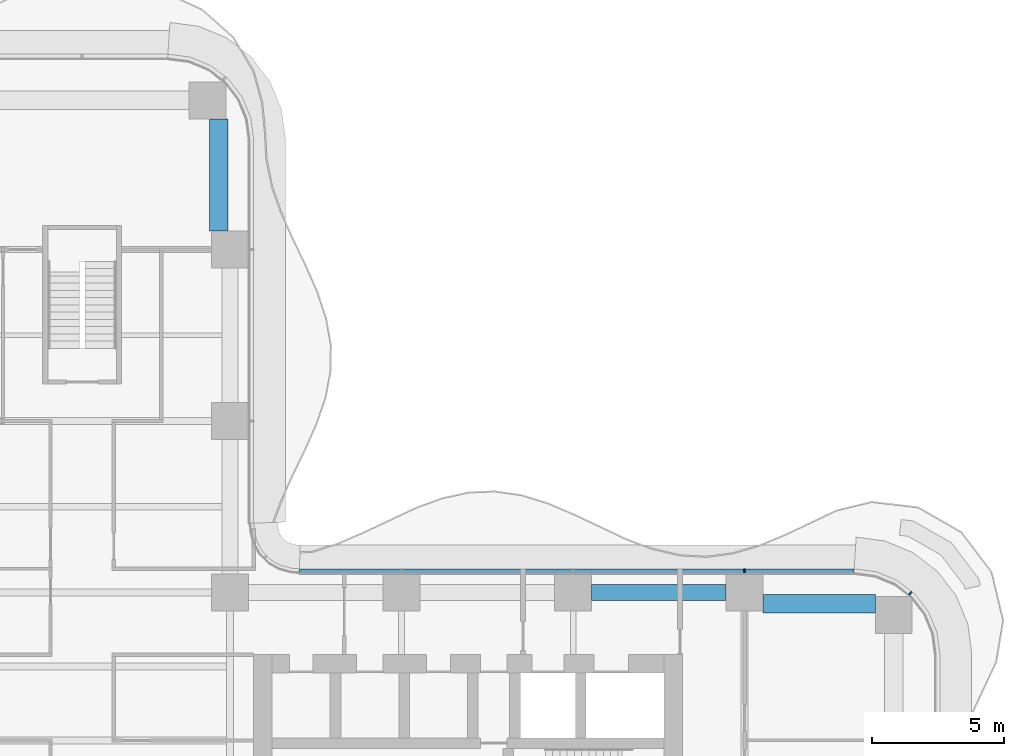
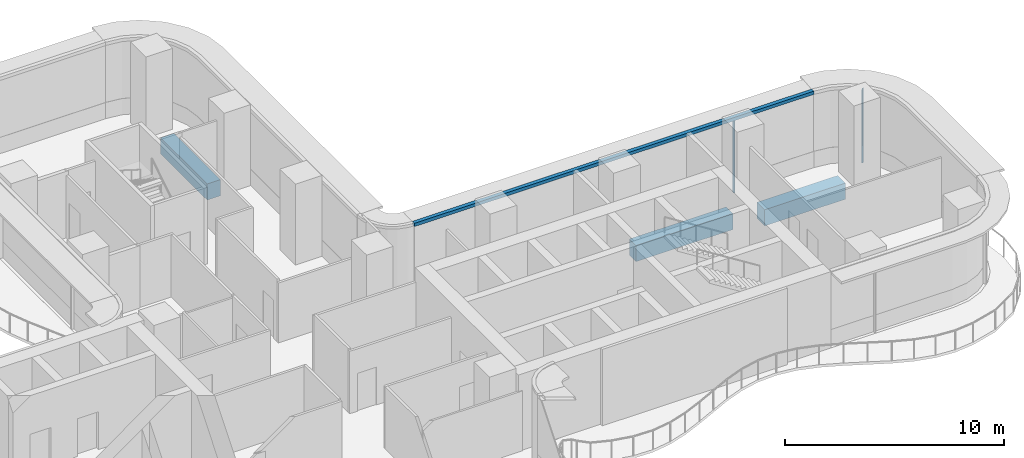
# One storey, part 11 of 22: 3 beams, 3 members, 2 elements without a shape of their own.
"""IFC4 building model written with IfcOpenShell, lengths in metres."""

from ifc_helpers import new_model, si_unit, direction, frame, origin, origin_2d, place, context, subcontext, project, spatial, polyline, rectangle, outline, extrude, source, transform, mapped, material, layer, layer_set, material_profile, profile_set, type_object, element, aggregate, save


model = new_model("IFC4")

# Units and contexts
model_context = context("Model", 3, precision=1e-05, world=origin(), true_north=direction((0.0, 1.0)))
body_context = subcontext(model_context, "Body", "Model", "MODEL_VIEW")
ifc_project = project(units=[si_unit("LENGTHUNIT", "METRE"), si_unit("AREAUNIT", "SQUARE_METRE"), si_unit("VOLUMEUNIT", "CUBIC_METRE"), si_unit("PLANEANGLEUNIT", "RADIAN"), si_unit("MASSUNIT", "GRAM", prefix="KILO")], contexts=[model_context])

# Site, building, storey
site_placement = place(None, origin())
site = spatial("IfcSite", under=ifc_project, at=site_placement, CompositionType="ELEMENT")
building_placement = place(site_placement, origin())
building = spatial("IfcBuilding", under=site, at=building_placement, Name="Trellis Farm Tower", CompositionType="ELEMENT")
storey_placement = place(building_placement, frame((0.0, 0.0, 65.5)))
storey = spatial("IfcBuildingStorey", under=building, at=storey_placement, Name="L13", CompositionType="ELEMENT", Elevation=65.5)

# Beams
ifc_material_1 = material(Name="Concrete C60/75", Category="concrete")
ifc_material_profile_1 = material_profile(ifc_material_1, rectangle(XDim=0.60009765625, YDim=0.89990234375, at=origin_2d()), Name="RC spandrel beam 600x900 C60/75")
ifc_profile_set_1 = profile_set([ifc_material_profile_1], Name="Concrete C60/75")
beam_type_1 = type_object("IfcBeamType", Name="RC spandrel beam 600x900 C60/75", PredefinedType="SPANDREL", material=ifc_profile_set_1)
shared_shape_1 = source(origin(), body_context, "Body", "SweptSolid", [
    extrude(rectangle(XDim=0.60009765625, YDim=0.89990234375, at=origin_2d()), origin(), (0.0, 0.0, 1.0), 5.099853515625),
])
beam_placement = place(storey_placement, frame((19.300048828125, 5.60009765625, -0.699951171875), z_axis=(1.0, 0.0, 0.0), x_axis=(0.0, 1.0, 0.0)))
element("IfcBeam", 1, at=beam_placement, inside=storey, type_object=beam_type_1, Name="Girder", PredefinedType="SPANDREL", context=body_context, shape_type="MappedRepresentation", body=[
    mapped(shared_shape_1, transform((0.0, 0.0, 0.0))),
])
ifc_material_profile_2 = material_profile(ifc_material_1, rectangle(XDim=0.699951171875, YDim=0.89990234375, at=origin_2d()), Name="RC spandrel beam 700x900 C60/75")
ifc_profile_set_2 = profile_set([ifc_material_profile_2], Name="Concrete C60/75")
beam_type_2 = type_object("IfcBeamType", Name="RC spandrel beam 700x900 C60/75", PredefinedType="SPANDREL", material=ifc_profile_set_2)
shared_shape_2 = source(origin(), body_context, "Body", "SweptSolid", [
    extrude(rectangle(XDim=0.699951171875, YDim=0.89990234375, at=origin_2d()), origin(), (0.0, 0.0, 1.0), 4.25),
])
for number, where, z_axis, x_axis, name in (
    (2, (25.800048828125, 5.175048828125, -0.699951171875), (1.0, 0.0, 0.0), (0.0, 1.0, 0.0), "Girder"),
    (3, (5.175048828125, 19.300048828125, -0.699951171875), (0.0, 1.0, 0.0), (-1.0, 0.0, 0.0), "Girder"),
):
    element("IfcBeam", number, at=place(storey_placement, frame(where, z_axis=z_axis, x_axis=x_axis)), inside=storey, type_object=beam_type_2, Name=name, PredefinedType="SPANDREL", context=body_context, shape_type="MappedRepresentation", body=[
        mapped(shared_shape_2, transform((0.0, 0.0, 0.0))),
    ])

# Curtain wall, member
ifc_material_2 = material(Name="Aluminium and glass curtain wall", Category="aluminium")
ifc_layer_1 = layer(ifc_material_2, 0.18994140625)
ifc_layer_set_1 = layer_set([ifc_layer_1], Name="RIBBON CURTAIN WALL CW1")
curtain_wall_type = type_object("IfcCurtainWallType", Name="RIBBON CURTAIN WALL CW1", PredefinedType="NOTDEFINED", material=ifc_layer_set_1)
placement = place(storey_placement, origin())
curtain_wall_1 = element("IfcCurtainWall", 4, at=placement, inside=storey, type_object=curtain_wall_type, Name="CW1 007", PredefinedType="NOTDEFINED")
ifc_material_3 = material(Name="Aluminium extrusion 6063-T6", Category="aluminium")
ifc_material_profile_3 = material_profile(ifc_material_3, rectangle(XDim=0.06005859375, YDim=0.14990234375, at=origin_2d()), Name="MULLION 60x150")
ifc_profile_set_3 = profile_set([ifc_material_profile_3], Name="Aluminium extrusion 6063-T6")
member_type_1 = type_object("IfcMemberType", Name="CW1 MULLION 60x150", PredefinedType="MULLION", material=ifc_profile_set_3)
shared_shape_3 = source(origin(), body_context, "Body", "SweptSolid", [
    extrude(rectangle(XDim=0.06005859375, YDim=0.14990234375, at=origin_2d()), origin(), (0.0, 0.0, 1.0), 4.070068359375),
])
member_1_placement = place(storey_placement, frame((31.385498046875, 5.578369140625, 0.0), z_axis=(0.0, 0.0, 1.0), x_axis=(-0.793353340291, 0.608761429009, 0.0)))
member_1 = element("IfcMember", 5, at=member_1_placement, type_object=member_type_1, Name="MU1 007-02", PredefinedType="MULLION", context=body_context, shape_type="MappedRepresentation", body=[
    mapped(shared_shape_3, transform((0.0, 0.0, 0.0))),
])
aggregate(curtain_wall_1, [member_1])

# Curtain wall, members
curtain_wall_2 = element("IfcCurtainWall", 6, at=placement, inside=storey, type_object=curtain_wall_type, Name="CW1 008", PredefinedType="NOTDEFINED")
member_2_placement = place(storey_placement, frame((25.10009765625, 6.425048828125, 0.0), z_axis=(0.0, 0.0, 1.0), x_axis=(-1.0, 0.0, 0.0)))
member_2 = element("IfcMember", 7, at=member_2_placement, type_object=member_type_1, Name="MU1 008-01", PredefinedType="MULLION", context=body_context, shape_type="MappedRepresentation", body=[
    mapped(shared_shape_3, transform((0.0, 0.0, 0.0))),
])
ifc_layer_2 = layer(ifc_material_3, 0.199951171875)
ifc_layer_set_2 = layer_set([ifc_layer_2], Name="Aluminium extrusion 6063-T6")
member_type_2 = type_object("IfcMemberType", Name="CW1 TRANSOM 200x180", PredefinedType="USERDEFINED", material=ifc_layer_set_2)
shared_shape_4 = source(origin(), body_context, "Body", "SweptSolid", [
    extrude(outline(polyline([(29.25, 6.5), (8.2314453125, 6.5), (8.224853515625, 6.300048828125), (29.23681640625, 6.300048828125), (29.25, 6.5)])), origin(), (0.0, 0.0, 1.0), 0.179931640625),
])
member_3_placement = place(storey_placement, frame((0.0, 0.0, 4.070068359375)))
member_3 = element("IfcMember", 8, at=member_3_placement, type_object=member_type_2, Name="TR1 008", ObjectType="TRANSOM", PredefinedType="USERDEFINED", context=body_context, shape_type="MappedRepresentation", body=[
    mapped(shared_shape_4, transform((0.0, 0.0, 0.0))),
])
aggregate(curtain_wall_2, [member_2, member_3])

save(model, "model.ifc")
